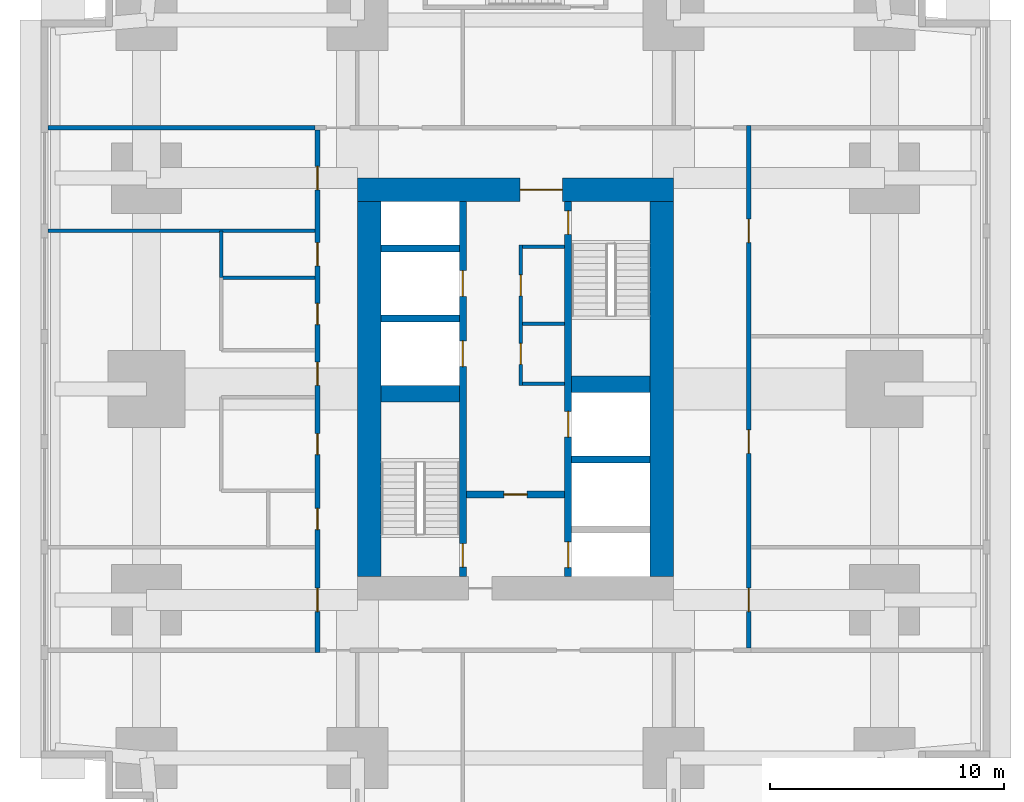
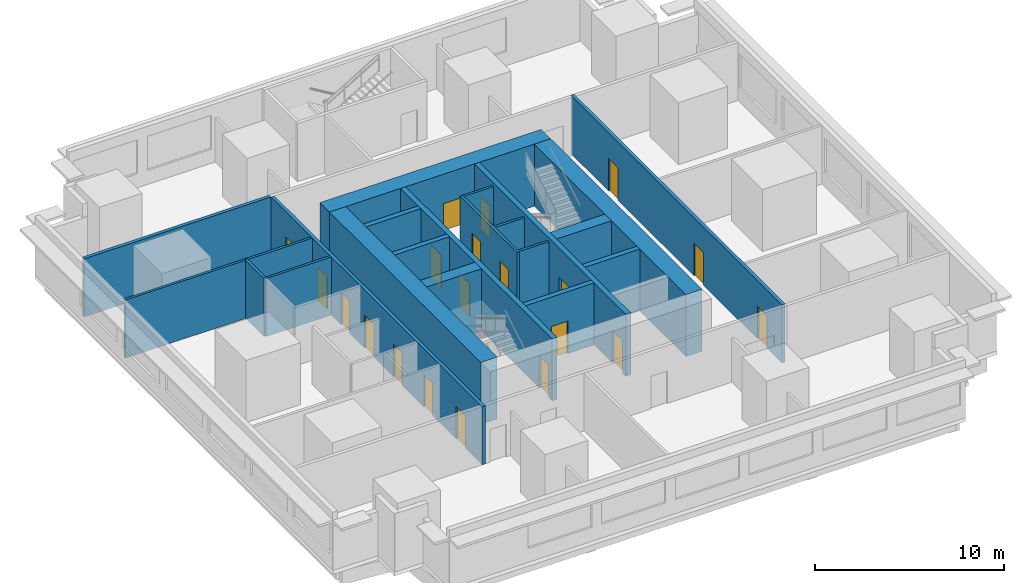
# One storey, part 4 of 11: 21 walls, 20 doors, 20 openings.
"""IFC4 building model written with IfcOpenShell, lengths in metres."""

from ifc_helpers import new_model, si_unit, direction, frame, frame_2d, origin, place, context, subcontext, project, spatial, rectangle, extrude, material, layer, layer_set, type_object, element, fill, save


model = new_model("IFC4")

# Units and contexts
model_context = context("Model", 3, precision=1e-05, world=origin(), true_north=direction((0.0, 1.0)))
body_context = subcontext(model_context, "Body", "Model", "MODEL_VIEW")
ifc_project = project(units=[si_unit("LENGTHUNIT", "METRE"), si_unit("AREAUNIT", "SQUARE_METRE"), si_unit("VOLUMEUNIT", "CUBIC_METRE"), si_unit("PLANEANGLEUNIT", "RADIAN"), si_unit("MASSUNIT", "GRAM", prefix="KILO")], contexts=[model_context])

# Site, building, storey
site_placement = place(None, origin())
site = spatial("IfcSite", under=ifc_project, at=site_placement, CompositionType="ELEMENT")
building_placement = place(site_placement, origin())
building = spatial("IfcBuilding", under=site, at=building_placement, Name="Namib Vertical Campus", CompositionType="ELEMENT")
storey_placement = place(building_placement, frame((0.0, 0.0, 41.0)))
storey = spatial("IfcBuildingStorey", under=building, at=storey_placement, Name="L09", CompositionType="ELEMENT", Elevation=41.0)

# Wall, openings, doors
ifc_material_1 = material(Name="Concrete C60/75", Category="concrete")
ifc_layer_1 = layer(ifc_material_1, 0.300048828125)
ifc_layer_set_1 = layer_set([ifc_layer_1], Name="Concrete C60/75")
wall_type_1 = type_object("IfcWallType", Name="Core inner wall 300", PredefinedType="SHEAR", material=ifc_layer_set_1)
wall_1_placement = place(storey_placement, frame((18.0, 12.25, 0.0), z_axis=(0.0, 0.0, 1.0), x_axis=(0.0, 1.0, 0.0)))
wall_1 = element("IfcWall", 1, at=wall_1_placement, inside=storey, type_object=wall_type_1, Name="Core inner wall A L09 W1", PredefinedType="SHEAR", context=body_context, shape_type="SweptSolid", body=[
    extrude(rectangle(XDim=16.0, YDim=0.300048828125, at=frame_2d((8.0, 0.0))), origin(), (0.0, 0.0, 1.0), 4.0),
])
opening_1_placement = place(wall_1_placement, frame((0.39990234375, 0.0, 0.0)))
opening_1 = element("IfcOpeningElement", 2, at=opening_1_placement, cuts=wall_1, Name="Opening FD1", PredefinedType="OPENING", context=body_context, shape_type="SweptSolid", body=[
    extrude(rectangle(XDim=1.0, YDim=2.10009765625, at=frame_2d((0.5, 1.050048828125))), frame((0.0, 0.159912109375, 0.0), z_axis=(0.0, -1.0, 0.0), x_axis=(1.0, 0.0, 0.0)), (0.0, 0.0, 1.0), 0.320068359375),
])
opening_2_placement = place(wall_1_placement, frame((8.949951171875, 0.0, 0.0)))
opening_2 = element("IfcOpeningElement", 3, at=opening_2_placement, cuts=wall_1, Name="Opening LD1", PredefinedType="OPENING", context=body_context, shape_type="SweptSolid", body=[
    extrude(rectangle(XDim=1.10009765625, YDim=2.10009765625, at=frame_2d((0.550048828125, 1.050048828125))), frame((0.0, 0.159912109375, 0.0), z_axis=(0.0, -1.0, 0.0), x_axis=(1.0, 0.0, 0.0)), (0.0, 0.0, 1.0), 0.320068359375),
])
opening_3_placement = place(wall_1_placement, frame((11.949951171875, 0.0, 0.0)))
opening_3 = element("IfcOpeningElement", 4, at=opening_3_placement, cuts=wall_1, Name="Opening LD1", PredefinedType="OPENING", context=body_context, shape_type="SweptSolid", body=[
    extrude(rectangle(XDim=1.10009765625, YDim=2.10009765625, at=frame_2d((0.550048828125, 1.050048828125))), frame((0.0, 0.159912109375, 0.0), z_axis=(0.0, -1.0, 0.0), x_axis=(1.0, 0.0, 0.0)), (0.0, 0.0, 1.0), 0.320068359375),
])
ifc_material_2 = material(Name="Steel fire door", Category="steel")
door_type_1 = type_object("IfcDoorType", Name="Fire door 1000x2100", OperationType="SINGLE_SWING_RIGHT", PredefinedType="DOOR", material=ifc_material_2)
door_1_placement = place(opening_1_placement, origin())
door_1 = element("IfcDoor", 5, at=door_1_placement, inside=storey, type_object=door_type_1, Name="Stair door FD1 A L09 S1", OperationType="SINGLE_SWING_LEFT", OverallHeight=2.10009765625, OverallWidth=1.0, PredefinedType="DOOR", context=body_context, shape_type="SweptSolid", body=[
    extrude(rectangle(XDim=1.0, YDim=2.10009765625, at=frame_2d((0.5, 1.050048828125))), frame((0.0, 0.02490234375, 0.0), z_axis=(0.0, -1.0, 0.0), x_axis=(1.0, 0.0, 0.0)), (0.0, 0.0, 1.0), 0.050048828125),
])
fill(opening_1, door_1)
ifc_material_3 = material(Name="Stainless steel lift door", Category="steel")
door_type_2 = type_object("IfcDoorType", Name="Lift landing door 1100x2100", OperationType="DOUBLE_DOOR_SLIDING", PredefinedType="DOOR", material=ifc_material_3)
door_2_placement = place(opening_2_placement, origin())
door_2 = element("IfcDoor", 6, at=door_2_placement, inside=storey, type_object=door_type_2, Name="Lift landing door LD1 A-P1 L09", OperationType="DOUBLE_DOOR_SLIDING", OverallHeight=2.10009765625, OverallWidth=1.10009765625, PredefinedType="DOOR", context=body_context, shape_type="SweptSolid", body=[
    extrude(rectangle(XDim=1.10009765625, YDim=2.10009765625, at=frame_2d((0.550048828125, 1.050048828125))), frame((0.0, 0.02490234375, 0.0), z_axis=(0.0, -1.0, 0.0), x_axis=(1.0, 0.0, 0.0)), (0.0, 0.0, 1.0), 0.050048828125),
])
fill(opening_2, door_2)
door_3_placement = place(opening_3_placement, origin())
door_3 = element("IfcDoor", 7, at=door_3_placement, inside=storey, type_object=door_type_2, Name="Lift landing door LD1 A-P2 L09", OperationType="DOUBLE_DOOR_SLIDING", OverallHeight=2.10009765625, OverallWidth=1.10009765625, PredefinedType="DOOR", context=body_context, shape_type="SweptSolid", body=[
    extrude(rectangle(XDim=1.10009765625, YDim=2.10009765625, at=frame_2d((0.550048828125, 1.050048828125))), frame((0.0, 0.02490234375, 0.0), z_axis=(0.0, -1.0, 0.0), x_axis=(1.0, 0.0, 0.0)), (0.0, 0.0, 1.0), 0.050048828125),
])
fill(opening_3, door_3)

wall_2_placement = place(storey_placement, frame((22.5, 12.25, 0.0), z_axis=(0.0, 0.0, 1.0), x_axis=(0.0, 1.0, 0.0)))
wall_2 = element("IfcWall", 8, at=wall_2_placement, inside=storey, type_object=wall_type_1, Name="Core inner wall A L09 W2", PredefinedType="SHEAR", context=body_context, shape_type="SweptSolid", body=[
    extrude(rectangle(XDim=16.0, YDim=0.300048828125, at=frame_2d((8.0, 0.0))), origin(), (0.0, 0.0, 1.0), 4.0),
])
opening_4_placement = place(wall_2_placement, frame((14.60009765625, 0.0, 0.0)))
opening_4 = element("IfcOpeningElement", 9, at=opening_4_placement, cuts=wall_2, Name="Opening FD1", PredefinedType="OPENING", context=body_context, shape_type="SweptSolid", body=[
    extrude(rectangle(XDim=1.0, YDim=2.10009765625, at=frame_2d((0.5, 1.050048828125))), frame((0.0, 0.159912109375, 0.0), z_axis=(0.0, -1.0, 0.0), x_axis=(1.0, 0.0, 0.0)), (0.0, 0.0, 1.0), 0.320068359375),
])
opening_5_placement = place(wall_2_placement, frame((0.375, 0.0, 0.0)))
opening_5 = element("IfcOpeningElement", 10, at=opening_5_placement, cuts=wall_2, Name="Opening LD1", PredefinedType="OPENING", context=body_context, shape_type="SweptSolid", body=[
    extrude(rectangle(XDim=1.10009765625, YDim=2.10009765625, at=frame_2d((0.550048828125, 1.050048828125))), frame((0.0, 0.159912109375, 0.0), z_axis=(0.0, -1.0, 0.0), x_axis=(1.0, 0.0, 0.0)), (0.0, 0.0, 1.0), 0.320068359375),
])
opening_6_placement = place(wall_2_placement, frame((5.949951171875, 0.0, 0.0)))
opening_6 = element("IfcOpeningElement", 11, at=opening_6_placement, cuts=wall_2, Name="Opening LD1", PredefinedType="OPENING", context=body_context, shape_type="SweptSolid", body=[
    extrude(rectangle(XDim=1.10009765625, YDim=2.10009765625, at=frame_2d((0.550048828125, 1.050048828125))), frame((0.0, 0.159912109375, 0.0), z_axis=(0.0, -1.0, 0.0), x_axis=(1.0, 0.0, 0.0)), (0.0, 0.0, 1.0), 0.320068359375),
])
door_4_placement = place(opening_4_placement, frame((1.0, 0.0, 0.0), z_axis=(0.0, 0.0, 1.0), x_axis=(-1.0, 0.0, 0.0)))
door_4 = element("IfcDoor", 12, at=door_4_placement, inside=storey, type_object=door_type_1, Name="Stair door FD1 A L09 S2", OperationType="SINGLE_SWING_LEFT", OverallHeight=2.10009765625, OverallWidth=1.0, PredefinedType="DOOR", context=body_context, shape_type="SweptSolid", body=[
    extrude(rectangle(XDim=1.0, YDim=2.10009765625, at=frame_2d((0.5, 1.050048828125))), frame((0.0, 0.02490234375, 0.0), z_axis=(0.0, -1.0, 0.0), x_axis=(1.0, 0.0, 0.0)), (0.0, 0.0, 1.0), 0.050048828125),
])
fill(opening_4, door_4)
door_5_placement = place(opening_5_placement, origin())
door_5 = element("IfcDoor", 13, at=door_5_placement, inside=storey, type_object=door_type_2, Name="Lift landing door LD1 A-FL1 L09", OperationType="DOUBLE_DOOR_SLIDING", OverallHeight=2.10009765625, OverallWidth=1.10009765625, PredefinedType="DOOR", context=body_context, shape_type="SweptSolid", body=[
    extrude(rectangle(XDim=1.10009765625, YDim=2.10009765625, at=frame_2d((0.550048828125, 1.050048828125))), frame((0.0, 0.02490234375, 0.0), z_axis=(0.0, -1.0, 0.0), x_axis=(1.0, 0.0, 0.0)), (0.0, 0.0, 1.0), 0.050048828125),
])
fill(opening_5, door_5)
door_6_placement = place(opening_6_placement, origin())
door_6 = element("IfcDoor", 14, at=door_6_placement, inside=storey, type_object=door_type_2, Name="Lift landing door LD1 A-P5 L09", OperationType="DOUBLE_DOOR_SLIDING", OverallHeight=2.10009765625, OverallWidth=1.10009765625, PredefinedType="DOOR", context=body_context, shape_type="SweptSolid", body=[
    extrude(rectangle(XDim=1.10009765625, YDim=2.10009765625, at=frame_2d((0.550048828125, 1.050048828125))), frame((0.0, 0.02490234375, 0.0), z_axis=(0.0, -1.0, 0.0), x_axis=(1.0, 0.0, 0.0)), (0.0, 0.0, 1.0), 0.050048828125),
])
fill(opening_6, door_6)

# Wall, opening, door
wall_3_placement = place(storey_placement, frame((18.14990234375, 15.75, 0.0), z_axis=(0.0, 0.0, 1.0), x_axis=(1.0, 0.0, 0.0)))
wall_3 = element("IfcWall", 15, at=wall_3_placement, inside=storey, type_object=wall_type_1, Name="Core inner wall A L09 W4", PredefinedType="SHEAR", context=body_context, shape_type="SweptSolid", body=[
    extrude(rectangle(XDim=4.2001953125, YDim=0.300048828125, at=frame_2d((2.10009765625, 0.0))), origin(), (0.0, 0.0, 1.0), 4.0),
])
opening_7_placement = place(wall_3_placement, frame((1.60009765625, 0.0, 0.0)))
opening_7 = element("IfcOpeningElement", 16, at=opening_7_placement, cuts=wall_3, Name="Opening FD5", PredefinedType="OPENING", context=body_context, shape_type="SweptSolid", body=[
    extrude(rectangle(XDim=1.0, YDim=2.10009765625, at=frame_2d((0.5, 1.050048828125))), frame((0.0, 0.159912109375, 0.0), z_axis=(0.0, -1.0, 0.0), x_axis=(1.0, 0.0, 0.0)), (0.0, 0.0, 1.0), 0.320068359375),
])
ifc_material_4 = material(Name="Steel fire door", Category="steel")
door_type_3 = type_object("IfcDoorType", Name="Fire door 1000x2100 120 min", OperationType="SINGLE_SWING_RIGHT", PredefinedType="DOOR", material=ifc_material_4)
door_7_placement = place(opening_7_placement, frame((1.0, 0.0, 0.0), z_axis=(0.0, 0.0, 1.0), x_axis=(-1.0, 0.0, 0.0)))
door_7 = element("IfcDoor", 17, at=door_7_placement, inside=storey, type_object=door_type_3, Name="Lobby door FD5 A L09", OperationType="SINGLE_SWING_RIGHT", OverallHeight=2.10009765625, OverallWidth=1.0, PredefinedType="DOOR", context=body_context, shape_type="SweptSolid", body=[
    extrude(rectangle(XDim=1.0, YDim=2.10009765625, at=frame_2d((0.5, 1.050048828125))), frame((0.0, 0.02490234375, 0.0), z_axis=(0.0, -1.0, 0.0), x_axis=(1.0, 0.0, 0.0)), (0.0, 0.0, 1.0), 0.050048828125),
])
fill(opening_7, door_7)

# Walls
for number, where, z_axis, x_axis, name in (
    (18, (22.64990234375, 17.25, 0.0), (0.0, 0.0, 1.0), (1.0, 0.0, 0.0), "Core inner wall A L09 W6"),
    (19, (14.5, 23.25, 0.0), (0.0, 0.0, 1.0), (1.0, 0.0, 0.0), "Core inner wall A L09 W8"),
    (20, (14.5, 26.25, 0.0), (0.0, 0.0, 1.0), (1.0, 0.0, 0.0), "Core inner wall A L09 W9"),
):
    element("IfcWall", number, at=place(storey_placement, frame(where, z_axis=z_axis, x_axis=x_axis)), inside=storey, type_object=wall_type_1, Name=name, PredefinedType="SHEAR", context=body_context, shape_type="SweptSolid", body=[
        extrude(rectangle(XDim=3.35009765625, YDim=0.300048828125, at=frame_2d((1.675048828125, 0.0))), origin(), (0.0, 0.0, 1.0), 4.0),
    ])
ifc_material_5 = material(Name="Concrete C60/75", Category="concrete")
ifc_layer_2 = layer(ifc_material_5, 0.699951171875)
ifc_layer_set_2 = layer_set([ifc_layer_2], Name="Concrete C60/75")
wall_type_2 = type_object("IfcWallType", Name="Core shear wall 700", PredefinedType="SHEAR", material=ifc_layer_set_2)
for number, where, z_axis, x_axis, name in (
    (21, (14.5, 20.050048828125, 0.0), (0.0, 0.0, 1.0), (1.0, 0.0, 0.0), "Core shear wall A L09 W3"),
    (22, (22.64990234375, 20.449951171875, 0.0), (0.0, 0.0, 1.0), (1.0, 0.0, 0.0), "Core shear wall A L09 W7"),
):
    element("IfcWall", number, at=place(storey_placement, frame(where, z_axis=z_axis, x_axis=x_axis)), inside=storey, type_object=wall_type_2, Name=name, PredefinedType="SHEAR", context=body_context, shape_type="SweptSolid", body=[
        extrude(rectangle(XDim=3.35009765625, YDim=0.699951171875, at=frame_2d((1.675048828125, 0.0))), origin(), (0.0, 0.0, 1.0), 4.0),
    ])
ifc_material_6 = material(Name="Concrete C60/75", Category="concrete")
ifc_layer_3 = layer(ifc_material_6, 1.0)
ifc_layer_set_3 = layer_set([ifc_layer_3], Name="Concrete C60/75")
wall_type_3 = type_object("IfcWallType", Name="Core wall 1000", PredefinedType="SHEAR", material=ifc_layer_set_3)
wall_4_placement = place(storey_placement, frame((26.5, 12.25, 0.0), z_axis=(0.0, 0.0, 1.0), x_axis=(0.0, 1.0, 0.0)))
element("IfcWall", 23, at=wall_4_placement, inside=storey, type_object=wall_type_3, Name="Core wall A L09 2", PredefinedType="SHEAR", context=body_context, shape_type="SweptSolid", body=[
    extrude(rectangle(XDim=16.0, YDim=1.0, at=frame_2d((8.0, 0.0))), origin(), (0.0, 0.0, 1.0), 4.0),
])

# Wall, opening, door
wall_5_placement = place(storey_placement, frame((27.0, 28.75, 0.0), z_axis=(0.0, 0.0, 1.0), x_axis=(-1.0, 0.0, 0.0)))
wall_5 = element("IfcWall", 24, at=wall_5_placement, inside=storey, type_object=wall_type_3, Name="Core wall A L09 3", PredefinedType="SHEAR", context=body_context, shape_type="SweptSolid", body=[
    extrude(rectangle(XDim=13.5, YDim=1.0, at=frame_2d((6.75, 0.0))), origin(), (0.0, 0.0, 1.0), 4.0),
])
opening_8_placement = place(wall_5_placement, frame((4.75, 0.0, 0.0)))
opening_8 = element("IfcOpeningElement", 25, at=opening_8_placement, cuts=wall_5, Name="Opening FD2", PredefinedType="OPENING", context=body_context, shape_type="SweptSolid", body=[
    extrude(rectangle(XDim=1.800048828125, YDim=2.10009765625, at=frame_2d((0.89990234375, 1.050048828125))), frame((0.0, 0.510009765625, 0.0), z_axis=(0.0, -1.0, 0.0), x_axis=(1.0, 0.0, 0.0)), (0.0, 0.0, 1.0), 1.02001953125),
])
ifc_material_7 = material(Name="Steel fire door", Category="steel")
door_type_4 = type_object("IfcDoorType", Name="Fire door double 1800x2100", OperationType="DOUBLE_DOOR_SINGLE_SWING", PredefinedType="DOOR", material=ifc_material_7)
door_8_placement = place(opening_8_placement, origin())
door_8 = element("IfcDoor", 26, at=door_8_placement, inside=storey, type_object=door_type_4, Name="Lift lobby door FD2 A L09", OperationType="DOUBLE_DOOR_SINGLE_SWING", OverallHeight=2.10009765625, OverallWidth=1.800048828125, PredefinedType="DOOR", context=body_context, shape_type="SweptSolid", body=[
    extrude(rectangle(XDim=1.800048828125, YDim=2.10009765625, at=frame_2d((0.89990234375, 1.050048828125))), frame((0.0, 0.02490234375, 0.0), z_axis=(0.0, -1.0, 0.0), x_axis=(1.0, 0.0, 0.0)), (0.0, 0.0, 1.0), 0.050048828125),
])
fill(opening_8, door_8)

# Wall
wall_6_placement = place(storey_placement, frame((14.0, 28.25, 0.0), z_axis=(0.0, 0.0, 1.0), x_axis=(0.0, -1.0, 0.0)))
element("IfcWall", 27, at=wall_6_placement, inside=storey, type_object=wall_type_3, Name="Core wall A L09 4", PredefinedType="SHEAR", context=body_context, shape_type="SweptSolid", body=[
    extrude(rectangle(XDim=16.0, YDim=1.0, at=frame_2d((8.0, 0.0))), origin(), (0.0, 0.0, 1.0), 4.0),
])

# Wall, openings, doors
ifc_material_8 = material(Name="Concrete masonry", Category="masonry")
ifc_layer_4 = layer(ifc_material_8, 0.199951171875)
ifc_layer_set_4 = layer_set([ifc_layer_4], Name="Corridor wall 200")
wall_type_4 = type_object("IfcWallType", Name="Corridor wall 200", PredefinedType="SOLIDWALL", material=ifc_layer_set_4)
wall_7_placement = place(storey_placement, frame((30.199951171875, 9.199951171875, 0.0), z_axis=(0.0, 0.0, 1.0), x_axis=(0.0, 1.0, 0.0)))
wall_7 = element("IfcWall", 28, at=wall_7_placement, inside=storey, type_object=wall_type_4, Name="Corridor wall A L09 CE", PredefinedType="SOLIDWALL", context=body_context, shape_type="SweptSolid", body=[
    extrude(rectangle(XDim=22.300048828125, YDim=0.199951171875, at=frame_2d((11.14990234375, 0.0))), origin(), (0.0, 0.0, 1.0), 3.75),
])
opening_9_placement = place(wall_7_placement, frame((1.550048828125, 0.0, 0.0)))
opening_9 = element("IfcOpeningElement", 29, at=opening_9_placement, cuts=wall_7, Name="Opening CD1", PredefinedType="OPENING", context=body_context, shape_type="SweptSolid", body=[
    extrude(rectangle(XDim=1.0, YDim=2.10009765625, at=frame_2d((0.5, 1.050048828125))), frame((0.0, 0.10986328125, 0.0), z_axis=(0.0, -1.0, 0.0), x_axis=(1.0, 0.0, 0.0)), (0.0, 0.0, 1.0), 0.219970703125),
])
opening_10_placement = place(wall_7_placement, frame((8.300048828125, 0.0, 0.0)))
opening_10 = element("IfcOpeningElement", 30, at=opening_10_placement, cuts=wall_7, Name="Opening CD1", PredefinedType="OPENING", context=body_context, shape_type="SweptSolid", body=[
    extrude(rectangle(XDim=1.0, YDim=2.10009765625, at=frame_2d((0.5, 1.050048828125))), frame((0.0, 0.10986328125, 0.0), z_axis=(0.0, -1.0, 0.0), x_axis=(1.0, 0.0, 0.0)), (0.0, 0.0, 1.0), 0.219970703125),
])
opening_11_placement = place(wall_7_placement, frame((17.300048828125, 0.0, 0.0)))
opening_11 = element("IfcOpeningElement", 31, at=opening_11_placement, cuts=wall_7, Name="Opening CD1", PredefinedType="OPENING", context=body_context, shape_type="SweptSolid", body=[
    extrude(rectangle(XDim=1.0, YDim=2.10009765625, at=frame_2d((0.5, 1.050048828125))), frame((0.0, 0.10986328125, 0.0), z_axis=(0.0, -1.0, 0.0), x_axis=(1.0, 0.0, 0.0)), (0.0, 0.0, 1.0), 0.219970703125),
])
ifc_material_9 = material(Name="Timber fire door leaf", Category="wood")
door_type_5 = type_object("IfcDoorType", Name="Corridor door 1000x2100 20 min", OperationType="SINGLE_SWING_LEFT", PredefinedType="DOOR", material=ifc_material_9)
door_9_placement = place(opening_9_placement, frame((1.0, 0.0, 0.0), z_axis=(0.0, 0.0, 1.0), x_axis=(-1.0, 0.0, 0.0)))
door_9 = element("IfcDoor", 32, at=door_9_placement, inside=storey, type_object=door_type_5, Name="Door CD1 A09-05", OperationType="SINGLE_SWING_RIGHT", OverallHeight=2.10009765625, OverallWidth=1.0, PredefinedType="DOOR", context=body_context, shape_type="SweptSolid", body=[
    extrude(rectangle(XDim=1.0, YDim=2.10009765625, at=frame_2d((0.5, 1.050048828125))), frame((0.0, 0.02490234375, 0.0), z_axis=(0.0, -1.0, 0.0), x_axis=(1.0, 0.0, 0.0)), (0.0, 0.0, 1.0), 0.050048828125),
])
fill(opening_9, door_9)
door_10_placement = place(opening_10_placement, frame((1.0, 0.0, 0.0), z_axis=(0.0, 0.0, 1.0), x_axis=(-1.0, 0.0, 0.0)))
door_10 = element("IfcDoor", 33, at=door_10_placement, inside=storey, type_object=door_type_5, Name="Door CD1 A09-06", OperationType="SINGLE_SWING_RIGHT", OverallHeight=2.10009765625, OverallWidth=1.0, PredefinedType="DOOR", context=body_context, shape_type="SweptSolid", body=[
    extrude(rectangle(XDim=1.0, YDim=2.10009765625, at=frame_2d((0.5, 1.050048828125))), frame((0.0, 0.02490234375, 0.0), z_axis=(0.0, -1.0, 0.0), x_axis=(1.0, 0.0, 0.0)), (0.0, 0.0, 1.0), 0.050048828125),
])
fill(opening_10, door_10)
door_11_placement = place(opening_11_placement, frame((1.0, 0.0, 0.0), z_axis=(0.0, 0.0, 1.0), x_axis=(-1.0, 0.0, 0.0)))
door_11 = element("IfcDoor", 34, at=door_11_placement, inside=storey, type_object=door_type_5, Name="Door CD1 A09-07", OperationType="SINGLE_SWING_RIGHT", OverallHeight=2.10009765625, OverallWidth=1.0, PredefinedType="DOOR", context=body_context, shape_type="SweptSolid", body=[
    extrude(rectangle(XDim=1.0, YDim=2.10009765625, at=frame_2d((0.5, 1.050048828125))), frame((0.0, 0.02490234375, 0.0), z_axis=(0.0, -1.0, 0.0), x_axis=(1.0, 0.0, 0.0)), (0.0, 0.0, 1.0), 0.050048828125),
])
fill(opening_11, door_11)

wall_8_placement = place(storey_placement, frame((11.800048828125, 31.300048828125, 0.0), z_axis=(0.0, 0.0, 1.0), x_axis=(0.0, -1.0, 0.0)))
wall_8 = element("IfcWall", 35, at=wall_8_placement, inside=storey, type_object=wall_type_4, Name="Corridor wall A L09 CW", PredefinedType="SOLIDWALL", context=body_context, shape_type="SweptSolid", body=[
    extrude(rectangle(XDim=22.300048828125, YDim=0.199951171875, at=frame_2d((11.14990234375, 0.0))), origin(), (0.0, 0.0, 1.0), 3.75),
])
opening_12_placement = place(wall_8_placement, frame((19.550048828125, 0.0, 0.0)))
opening_12 = element("IfcOpeningElement", 36, at=opening_12_placement, cuts=wall_8, Name="Opening CD1", PredefinedType="OPENING", context=body_context, shape_type="SweptSolid", body=[
    extrude(rectangle(XDim=1.0, YDim=2.10009765625, at=frame_2d((0.5, 1.050048828125))), frame((0.0, 0.10986328125, 0.0), z_axis=(0.0, -1.0, 0.0), x_axis=(1.0, 0.0, 0.0)), (0.0, 0.0, 1.0), 0.219970703125),
])
opening_13_placement = place(wall_8_placement, frame((16.14990234375, 0.0, 0.0)))
opening_13 = element("IfcOpeningElement", 37, at=opening_13_placement, cuts=wall_8, Name="Opening CD3", PredefinedType="OPENING", context=body_context, shape_type="SweptSolid", body=[
    extrude(rectangle(XDim=0.89990234375, YDim=2.10009765625, at=frame_2d((0.449951171875, 1.050048828125))), frame((0.0, 0.10986328125, 0.0), z_axis=(0.0, -1.0, 0.0), x_axis=(1.0, 0.0, 0.0)), (0.0, 0.0, 1.0), 0.219970703125),
])
opening_14_placement = place(wall_8_placement, frame((12.949951171875, 0.0, 0.0)))
opening_14 = element("IfcOpeningElement", 38, at=opening_14_placement, cuts=wall_8, Name="Opening CD3", PredefinedType="OPENING", context=body_context, shape_type="SweptSolid", body=[
    extrude(rectangle(XDim=0.89990234375, YDim=2.10009765625, at=frame_2d((0.449951171875, 1.050048828125))), frame((0.0, 0.10986328125, 0.0), z_axis=(0.0, -1.0, 0.0), x_axis=(1.0, 0.0, 0.0)), (0.0, 0.0, 1.0), 0.219970703125),
])
opening_15_placement = place(wall_8_placement, frame((7.39990234375, 0.0, 0.0)))
opening_15 = element("IfcOpeningElement", 39, at=opening_15_placement, cuts=wall_8, Name="Opening CD3", PredefinedType="OPENING", context=body_context, shape_type="SweptSolid", body=[
    extrude(rectangle(XDim=0.89990234375, YDim=2.10009765625, at=frame_2d((0.449951171875, 1.050048828125))), frame((0.0, 0.10986328125, 0.0), z_axis=(0.0, -1.0, 0.0), x_axis=(1.0, 0.0, 0.0)), (0.0, 0.0, 1.0), 0.219970703125),
])
opening_16_placement = place(wall_8_placement, frame((4.800048828125, 0.0, 0.0)))
opening_16 = element("IfcOpeningElement", 40, at=opening_16_placement, cuts=wall_8, Name="Opening CD1", PredefinedType="OPENING", context=body_context, shape_type="SweptSolid", body=[
    extrude(rectangle(XDim=1.0, YDim=2.10009765625, at=frame_2d((0.5, 1.050048828125))), frame((0.0, 0.10986328125, 0.0), z_axis=(0.0, -1.0, 0.0), x_axis=(1.0, 0.0, 0.0)), (0.0, 0.0, 1.0), 0.219970703125),
])
opening_17_placement = place(wall_8_placement, frame((9.89990234375, 0.0, 0.0)))
opening_17 = element("IfcOpeningElement", 41, at=opening_17_placement, cuts=wall_8, Name="Opening CD1", PredefinedType="OPENING", context=body_context, shape_type="SweptSolid", body=[
    extrude(rectangle(XDim=1.0, YDim=2.10009765625, at=frame_2d((0.5, 1.050048828125))), frame((0.0, 0.10986328125, 0.0), z_axis=(0.0, -1.0, 0.0), x_axis=(1.0, 0.0, 0.0)), (0.0, 0.0, 1.0), 0.219970703125),
])
opening_18_placement = place(wall_8_placement, frame((1.550048828125, 0.0, 0.0)))
opening_18 = element("IfcOpeningElement", 42, at=opening_18_placement, cuts=wall_8, Name="Opening CD1", PredefinedType="OPENING", context=body_context, shape_type="SweptSolid", body=[
    extrude(rectangle(XDim=1.0, YDim=2.10009765625, at=frame_2d((0.5, 1.050048828125))), frame((0.0, 0.10986328125, 0.0), z_axis=(0.0, -1.0, 0.0), x_axis=(1.0, 0.0, 0.0)), (0.0, 0.0, 1.0), 0.219970703125),
])
door_12_placement = place(opening_12_placement, frame((1.0, 0.0, 0.0), z_axis=(0.0, 0.0, 1.0), x_axis=(-1.0, 0.0, 0.0)))
door_12 = element("IfcDoor", 43, at=door_12_placement, inside=storey, type_object=door_type_5, Name="Door CD1 A09-12", OperationType="SINGLE_SWING_RIGHT", OverallHeight=2.10009765625, OverallWidth=1.0, PredefinedType="DOOR", context=body_context, shape_type="SweptSolid", body=[
    extrude(rectangle(XDim=1.0, YDim=2.10009765625, at=frame_2d((0.5, 1.050048828125))), frame((0.0, 0.02490234375, 0.0), z_axis=(0.0, -1.0, 0.0), x_axis=(1.0, 0.0, 0.0)), (0.0, 0.0, 1.0), 0.050048828125),
])
fill(opening_12, door_12)
door_13_placement = place(opening_16_placement, frame((1.0, 0.0, 0.0), z_axis=(0.0, 0.0, 1.0), x_axis=(-1.0, 0.0, 0.0)))
door_13 = element("IfcDoor", 44, at=door_13_placement, inside=storey, type_object=door_type_5, Name="Door CD1 A09-16", OperationType="SINGLE_SWING_RIGHT", OverallHeight=2.10009765625, OverallWidth=1.0, PredefinedType="DOOR", context=body_context, shape_type="SweptSolid", body=[
    extrude(rectangle(XDim=1.0, YDim=2.10009765625, at=frame_2d((0.5, 1.050048828125))), frame((0.0, 0.02490234375, 0.0), z_axis=(0.0, -1.0, 0.0), x_axis=(1.0, 0.0, 0.0)), (0.0, 0.0, 1.0), 0.050048828125),
])
fill(opening_16, door_13)
door_14_placement = place(opening_17_placement, frame((1.0, 0.0, 0.0), z_axis=(0.0, 0.0, 1.0), x_axis=(-1.0, 0.0, 0.0)))
door_14 = element("IfcDoor", 45, at=door_14_placement, inside=storey, type_object=door_type_5, Name="Door CD1 A09-17", OperationType="SINGLE_SWING_RIGHT", OverallHeight=2.10009765625, OverallWidth=1.0, PredefinedType="DOOR", context=body_context, shape_type="SweptSolid", body=[
    extrude(rectangle(XDim=1.0, YDim=2.10009765625, at=frame_2d((0.5, 1.050048828125))), frame((0.0, 0.02490234375, 0.0), z_axis=(0.0, -1.0, 0.0), x_axis=(1.0, 0.0, 0.0)), (0.0, 0.0, 1.0), 0.050048828125),
])
fill(opening_17, door_14)
door_15_placement = place(opening_18_placement, frame((1.0, 0.0, 0.0), z_axis=(0.0, 0.0, 1.0), x_axis=(-1.0, 0.0, 0.0)))
door_15 = element("IfcDoor", 46, at=door_15_placement, inside=storey, type_object=door_type_5, Name="Door CD1 A09-18", OperationType="SINGLE_SWING_RIGHT", OverallHeight=2.10009765625, OverallWidth=1.0, PredefinedType="DOOR", context=body_context, shape_type="SweptSolid", body=[
    extrude(rectangle(XDim=1.0, YDim=2.10009765625, at=frame_2d((0.5, 1.050048828125))), frame((0.0, 0.02490234375, 0.0), z_axis=(0.0, -1.0, 0.0), x_axis=(1.0, 0.0, 0.0)), (0.0, 0.0, 1.0), 0.050048828125),
])
fill(opening_18, door_15)
ifc_material_10 = material(Name="Timber fire door leaf", Category="wood")
door_type_6 = type_object("IfcDoorType", Name="Corridor toilet door 900x2100 20 min", OperationType="SINGLE_SWING_LEFT", PredefinedType="DOOR", material=ifc_material_10)
door_16_placement = place(opening_13_placement, frame((0.89990234375, 0.0, 0.0), z_axis=(0.0, 0.0, 1.0), x_axis=(-1.0, 0.0, 0.0)))
door_16 = element("IfcDoor", 47, at=door_16_placement, inside=storey, type_object=door_type_6, Name="Door CD3 A09-13", OperationType="SINGLE_SWING_RIGHT", OverallHeight=2.10009765625, OverallWidth=0.89990234375, PredefinedType="DOOR", context=body_context, shape_type="SweptSolid", body=[
    extrude(rectangle(XDim=0.89990234375, YDim=2.10009765625, at=frame_2d((0.449951171875, 1.050048828125))), frame((0.0, 0.02490234375, 0.0), z_axis=(0.0, -1.0, 0.0), x_axis=(1.0, 0.0, 0.0)), (0.0, 0.0, 1.0), 0.050048828125),
])
fill(opening_13, door_16)
door_17_placement = place(opening_14_placement, frame((0.89990234375, 0.0, 0.0), z_axis=(0.0, 0.0, 1.0), x_axis=(-1.0, 0.0, 0.0)))
door_17 = element("IfcDoor", 48, at=door_17_placement, inside=storey, type_object=door_type_6, Name="Door CD3 A09-14", OperationType="SINGLE_SWING_RIGHT", OverallHeight=2.10009765625, OverallWidth=0.89990234375, PredefinedType="DOOR", context=body_context, shape_type="SweptSolid", body=[
    extrude(rectangle(XDim=0.89990234375, YDim=2.10009765625, at=frame_2d((0.449951171875, 1.050048828125))), frame((0.0, 0.02490234375, 0.0), z_axis=(0.0, -1.0, 0.0), x_axis=(1.0, 0.0, 0.0)), (0.0, 0.0, 1.0), 0.050048828125),
])
fill(opening_14, door_17)
door_18_placement = place(opening_15_placement, frame((0.89990234375, 0.0, 0.0), z_axis=(0.0, 0.0, 1.0), x_axis=(-1.0, 0.0, 0.0)))
door_18 = element("IfcDoor", 49, at=door_18_placement, inside=storey, type_object=door_type_6, Name="Door CD3 A09-15", OperationType="SINGLE_SWING_RIGHT", OverallHeight=2.10009765625, OverallWidth=0.89990234375, PredefinedType="DOOR", context=body_context, shape_type="SweptSolid", body=[
    extrude(rectangle(XDim=0.89990234375, YDim=2.10009765625, at=frame_2d((0.449951171875, 1.050048828125))), frame((0.0, 0.02490234375, 0.0), z_axis=(0.0, -1.0, 0.0), x_axis=(1.0, 0.0, 0.0)), (0.0, 0.0, 1.0), 0.050048828125),
])
fill(opening_15, door_18)

# Wall
wall_9_placement = place(storey_placement, frame((0.300048828125, 31.39990234375, 0.0), z_axis=(0.0, 0.0, 1.0), x_axis=(1.0, 0.0, 0.0)))
element("IfcWall", 50, at=wall_9_placement, inside=storey, type_object=wall_type_4, Name="Partition A L09 BNW", PredefinedType="SOLIDWALL", context=body_context, shape_type="SweptSolid", body=[
    extrude(rectangle(XDim=11.39990234375, YDim=0.199951171875, at=frame_2d((5.699951171875, 0.0))), origin(), (0.0, 0.0, 1.0), 3.75),
])

# Wall, openings, doors
ifc_material_11 = material(Name="Gypsum board on steel studs", Category="steel")
ifc_layer_5 = layer(ifc_material_11, 0.14990234375)
ifc_layer_set_5 = layer_set([ifc_layer_5], Name="Gypsum board on steel studs")
wall_type_5 = type_object("IfcWallType", Name="Partition 150", PredefinedType="PARTITIONING", material=ifc_layer_set_5)
wall_10_placement = place(storey_placement, frame((20.47509765625, 20.39990234375, 0.0), z_axis=(0.0, 0.0, 1.0), x_axis=(0.0, 1.0, 0.0)))
wall_10 = element("IfcWall", 51, at=wall_10_placement, inside=storey, type_object=wall_type_5, Name="Partition A L09 Comms room and Store front", PredefinedType="PARTITIONING", context=body_context, shape_type="SweptSolid", body=[
    extrude(rectangle(XDim=6.0, YDim=0.14990234375, at=frame_2d((3.0, 0.0))), origin(), (0.0, 0.0, 1.0), 3.75),
])
opening_19_placement = place(wall_10_placement, frame((0.89990234375, 0.0, 0.0)))
opening_19 = element("IfcOpeningElement", 52, at=opening_19_placement, cuts=wall_10, Name="Opening D3", PredefinedType="OPENING", context=body_context, shape_type="SweptSolid", body=[
    extrude(rectangle(XDim=0.89990234375, YDim=2.10009765625, at=frame_2d((0.449951171875, 1.050048828125))), frame((0.0, 0.0849609375, 0.0), z_axis=(0.0, -1.0, 0.0), x_axis=(1.0, 0.0, 0.0)), (0.0, 0.0, 1.0), 0.169921875),
])
opening_20_placement = place(wall_10_placement, frame((3.824951171875, 0.0, 0.0)))
opening_20 = element("IfcOpeningElement", 53, at=opening_20_placement, cuts=wall_10, Name="Opening D3", PredefinedType="OPENING", context=body_context, shape_type="SweptSolid", body=[
    extrude(rectangle(XDim=0.89990234375, YDim=2.10009765625, at=frame_2d((0.449951171875, 1.050048828125))), frame((0.0, 0.0849609375, 0.0), z_axis=(0.0, -1.0, 0.0), x_axis=(1.0, 0.0, 0.0)), (0.0, 0.0, 1.0), 0.169921875),
])
ifc_material_12 = material(Name="Timber door leaf", Category="wood")
door_type_7 = type_object("IfcDoorType", Name="Toilet door 900x2100", OperationType="SINGLE_SWING_LEFT", PredefinedType="DOOR", material=ifc_material_12)
door_19_placement = place(opening_19_placement, frame((0.89990234375, 0.0, 0.0), z_axis=(0.0, 0.0, 1.0), x_axis=(-1.0, 0.0, 0.0)))
door_19 = element("IfcDoor", 54, at=door_19_placement, inside=storey, type_object=door_type_7, Name="Door D3 Comms room A L09", OperationType="SINGLE_SWING_RIGHT", OverallHeight=2.10009765625, OverallWidth=0.89990234375, PredefinedType="DOOR", context=body_context, shape_type="SweptSolid", body=[
    extrude(rectangle(XDim=0.89990234375, YDim=2.10009765625, at=frame_2d((0.449951171875, 1.050048828125))), frame((0.0, 0.02490234375, 0.0), z_axis=(0.0, -1.0, 0.0), x_axis=(1.0, 0.0, 0.0)), (0.0, 0.0, 1.0), 0.050048828125),
])
fill(opening_19, door_19)
door_20_placement = place(opening_20_placement, frame((0.89990234375, 0.0, 0.0), z_axis=(0.0, 0.0, 1.0), x_axis=(-1.0, 0.0, 0.0)))
door_20 = element("IfcDoor", 55, at=door_20_placement, inside=storey, type_object=door_type_7, Name="Door D3 Store A L09", OperationType="SINGLE_SWING_RIGHT", OverallHeight=2.10009765625, OverallWidth=0.89990234375, PredefinedType="DOOR", context=body_context, shape_type="SweptSolid", body=[
    extrude(rectangle(XDim=0.89990234375, YDim=2.10009765625, at=frame_2d((0.449951171875, 1.050048828125))), frame((0.0, 0.02490234375, 0.0), z_axis=(0.0, -1.0, 0.0), x_axis=(1.0, 0.0, 0.0)), (0.0, 0.0, 1.0), 0.050048828125),
])
fill(opening_20, door_20)

# Walls
for number, where, z_axis, x_axis, name in (
    (56, (20.550048828125, 20.47509765625, 0.0), (0.0, 0.0, 1.0), (1.0, 0.0, 0.0), "Partition A L09 Comms room and Store end 1"),
    (57, (20.550048828125, 23.02490234375, 0.0), (0.0, 0.0, 1.0), (1.0, 0.0, 0.0), "Partition A L09 Comms room and Store division 2"),
    (58, (20.550048828125, 26.324951171875, 0.0), (0.0, 0.0, 1.0), (1.0, 0.0, 0.0), "Partition A L09 Comms room and Store end 3"),
):
    element("IfcWall", number, at=place(storey_placement, frame(where, z_axis=z_axis, x_axis=x_axis)), inside=storey, type_object=wall_type_5, Name=name, PredefinedType="PARTITIONING", context=body_context, shape_type="SweptSolid", body=[
        extrude(rectangle(XDim=1.800048828125, YDim=0.14990234375, at=frame_2d((0.89990234375, 0.0))), origin(), (0.0, 0.0, 1.0), 3.75),
    ])
wall_11_placement = place(storey_placement, frame((0.300048828125, 27.0, 0.0), z_axis=(0.0, 0.0, 1.0), x_axis=(1.0, 0.0, 0.0)))
element("IfcWall", 59, at=wall_11_placement, inside=storey, type_object=wall_type_5, Name="Partition A L09 PW2", PredefinedType="PARTITIONING", context=body_context, shape_type="SweptSolid", body=[
    extrude(rectangle(XDim=11.39990234375, YDim=0.14990234375, at=frame_2d((5.699951171875, 0.0))), origin(), (0.0, 0.0, 1.0), 3.75),
])
wall_12_placement = place(storey_placement, frame((11.699951171875, 25.0, 0.0), z_axis=(0.0, 0.0, 1.0), x_axis=(-1.0, 0.0, 0.0)))
element("IfcWall", 60, at=wall_12_placement, inside=storey, type_object=wall_type_5, Name="Partition A L09 WR4", PredefinedType="PARTITIONING", context=body_context, shape_type="SweptSolid", body=[
    extrude(rectangle(XDim=4.0, YDim=0.14990234375, at=frame_2d((2.0, 0.0))), origin(), (0.0, 0.0, 1.0), 3.75),
])
wall_13_placement = place(storey_placement, frame((7.699951171875, 25.0, 0.0), z_axis=(0.0, 0.0, 1.0), x_axis=(0.0, 1.0, 0.0)))
element("IfcWall", 61, at=wall_13_placement, inside=storey, type_object=wall_type_5, Name="Partition A L09 WB4", PredefinedType="PARTITIONING", context=body_context, shape_type="SweptSolid", body=[
    extrude(rectangle(XDim=2.0, YDim=0.14990234375, at=frame_2d((1.0, 0.0))), origin(), (0.0, 0.0, 1.0), 3.75),
])

save(model, "model.ifc")
